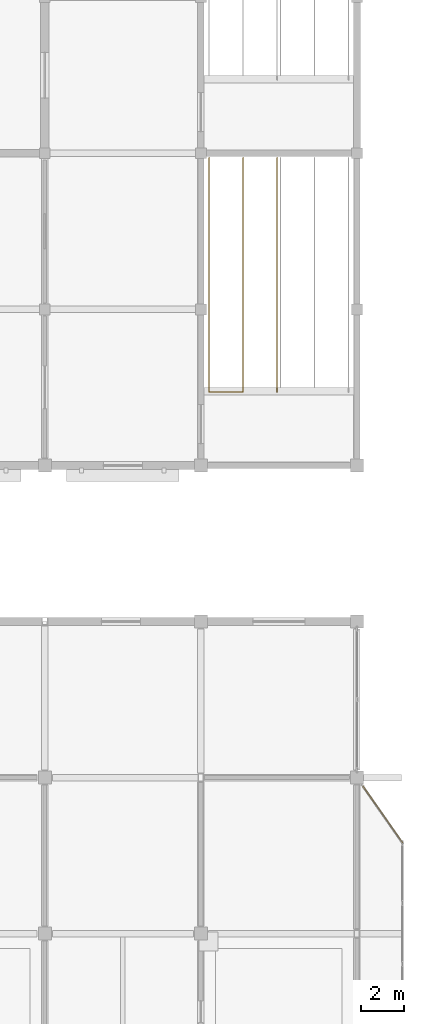
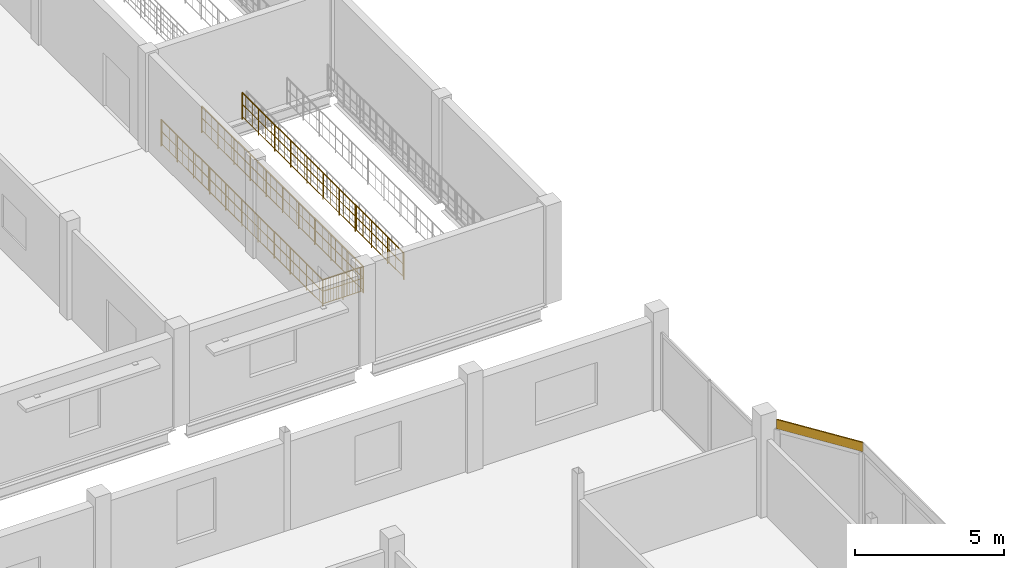
# One storey, part 46 of 51: 2 railings, 1 covering.
"""IFC4 building model written with IfcOpenShell, lengths in metres."""

from ifc_helpers import new_model, si_unit, direction, frame, frame_2d, origin, origin_2d, place, context, subcontext, project, spatial, rectangle, circle, extrude, material, layer, layer_set, type_object, element, save


model = new_model("IFC4")

# Units and contexts
model_context = context("Model", 3, precision=1e-05, world=origin(), true_north=direction((0.0, 1.0)))
body_context = subcontext(model_context, "Body", "Model", "MODEL_VIEW")
ifc_project = project(units=[si_unit("LENGTHUNIT", "METRE"), si_unit("AREAUNIT", "SQUARE_METRE"), si_unit("VOLUMEUNIT", "CUBIC_METRE"), si_unit("PLANEANGLEUNIT", "RADIAN"), si_unit("MASSUNIT", "GRAM", prefix="KILO")], contexts=[model_context])

# Site, building, storey
site_placement = place(None, origin())
site = spatial("IfcSite", under=ifc_project, at=site_placement, CompositionType="ELEMENT")
building_placement = place(site_placement, origin())
building = spatial("IfcBuilding", under=site, at=building_placement, Name="Vesperath Aquatics Centre", CompositionType="ELEMENT")
storey_placement = place(building_placement, frame((0.0, 0.0, 15.0)))
storey = spatial("IfcBuildingStorey", under=building, at=storey_placement, Name="L03", CompositionType="ELEMENT", Elevation=15.0)

# Covering
ifc_material_1 = material(Name="Teal and ochre glazed ceramic majolica frieze", Category="ceramic")
ifc_layer = layer(ifc_material_1, 0.0400390625)
ifc_layer_set = layer_set([ifc_layer], Name="Teal and ochre glazed ceramic majolica frieze")
covering_type = type_object("IfcCoveringType", Name="CV-CLD01", PredefinedType="CLADDING", material=ifc_layer_set)
covering_placement = place(storey_placement, frame((174.89990234375, 33.0, 3.5400390625), z_axis=(0.0, 0.0, 1.0), x_axis=(-0.57344185109, 0.819246265428, 0.0)))
element("IfcCovering", 1, at=covering_placement, inside=storey, type_object=covering_type, Name="East Bow Oriel Majolica Frieze CLD1 L03-N", PredefinedType="CLADDING", context=body_context, shape_type="SweptSolid", body=[
    extrude(rectangle(XDim=3.1982421875, YDim=0.050048828125, at=frame_2d((1.59912109375, 0.0))), origin(), (0.0, 0.0, 1.0), 0.3798828125),
])

# Railings
ifc_material_2 = material(Name="Powder-coated galvanized steel safety guard", Category="steel")
railing_type = type_object("IfcRailingType", Name="RL-GRD01", PredefinedType="GUARDRAIL", material=ifc_material_2)
railing_1_placement = place(storey_placement, frame((165.97998046875, 64.60009765625, 0.0)))
element("IfcRailing", 2, at=railing_1_placement, inside=storey, type_object=railing_type, Name="Stair ST12A Top Well Guard GR02 L03", PredefinedType="GUARDRAIL", context=body_context, shape_type="SweptSolid", body=[
    extrude(circle(Radius=0.02392578125, at=origin_2d()), frame((0.0, 0.0, 1.0859375), z_axis=(0.0, -1.0, 0.0), x_axis=(1.0, 0.0, 0.0)), (0.0, 0.0, 1.0), 10.820068359375),
    extrude(circle(Radius=0.01611328125, at=origin_2d()), frame((0.0, 0.0, 0.10009765625), z_axis=(0.0, -1.0, 0.0), x_axis=(1.0, 0.0, 0.0)), (0.0, 0.0, 1.0), 10.820068359375),
    extrude(circle(Radius=0.01611328125, at=origin_2d()), frame((0.0, 0.0, 0.610595703125), z_axis=(0.0, -1.0, 0.0), x_axis=(1.0, 0.0, 0.0)), (0.0, 0.0, 1.0), 10.820068359375),
    extrude(circle(Radius=0.009033203125, at=origin_2d()), frame((0.0, -0.109375, 0.10009765625)), (0.0, 0.0, 1.0), 0.9619140625),
    extrude(circle(Radius=0.009033203125, at=origin_2d()), frame((0.0, -0.54638671875, 0.10009765625)), (0.0, 0.0, 1.0), 0.9619140625),
    extrude(circle(Radius=0.009033203125, at=origin_2d()), frame((0.0, -0.983642578125, 0.10009765625)), (0.0, 0.0, 1.0), 0.9619140625),
    extrude(circle(Radius=0.009033203125, at=origin_2d()), frame((0.0, -1.4208984375, 0.10009765625)), (0.0, 0.0, 1.0), 0.9619140625),
    extrude(circle(Radius=0.009033203125, at=origin_2d()), frame((0.0, -1.85791015625, 0.10009765625)), (0.0, 0.0, 1.0), 0.9619140625),
    extrude(circle(Radius=0.009033203125, at=origin_2d()), frame((0.0, -2.295166015625, 0.10009765625)), (0.0, 0.0, 1.0), 0.9619140625),
    extrude(circle(Radius=0.009033203125, at=origin_2d()), frame((0.0, -2.732421875, 0.10009765625)), (0.0, 0.0, 1.0), 0.9619140625),
    extrude(circle(Radius=0.009033203125, at=origin_2d()), frame((0.0, -3.16943359375, 0.10009765625)), (0.0, 0.0, 1.0), 0.9619140625),
    extrude(circle(Radius=0.009033203125, at=origin_2d()), frame((0.0, -3.606689453125, 0.10009765625)), (0.0, 0.0, 1.0), 0.9619140625),
    extrude(circle(Radius=0.009033203125, at=origin_2d()), frame((0.0, -4.0439453125, 0.10009765625)), (0.0, 0.0, 1.0), 0.9619140625),
    extrude(circle(Radius=0.009033203125, at=origin_2d()), frame((0.0, -4.48095703125, 0.10009765625)), (0.0, 0.0, 1.0), 0.9619140625),
    extrude(circle(Radius=0.009033203125, at=origin_2d()), frame((0.0, -4.918212890625, 0.10009765625)), (0.0, 0.0, 1.0), 0.9619140625),
    extrude(circle(Radius=0.009033203125, at=origin_2d()), frame((0.0, -5.35546875, 0.10009765625)), (0.0, 0.0, 1.0), 0.9619140625),
    extrude(circle(Radius=0.009033203125, at=origin_2d()), frame((0.0, -5.79248046875, 0.10009765625)), (0.0, 0.0, 1.0), 0.9619140625),
    extrude(circle(Radius=0.009033203125, at=origin_2d()), frame((0.0, -6.229736328125, 0.10009765625)), (0.0, 0.0, 1.0), 0.9619140625),
    extrude(circle(Radius=0.009033203125, at=origin_2d()), frame((0.0, -6.6669921875, 0.10009765625)), (0.0, 0.0, 1.0), 0.9619140625),
    extrude(circle(Radius=0.009033203125, at=origin_2d()), frame((0.0, -7.10400390625, 0.10009765625)), (0.0, 0.0, 1.0), 0.9619140625),
    extrude(circle(Radius=0.009033203125, at=origin_2d()), frame((0.0, -7.541259765625, 0.10009765625)), (0.0, 0.0, 1.0), 0.9619140625),
    extrude(circle(Radius=0.009033203125, at=origin_2d()), frame((0.0, -7.978515625, 0.10009765625)), (0.0, 0.0, 1.0), 0.9619140625),
    extrude(circle(Radius=0.009033203125, at=origin_2d()), frame((0.0, -8.41552734375, 0.10009765625)), (0.0, 0.0, 1.0), 0.9619140625),
    extrude(circle(Radius=0.009033203125, at=origin_2d()), frame((0.0, -8.852783203125, 0.10009765625)), (0.0, 0.0, 1.0), 0.9619140625),
    extrude(circle(Radius=0.009033203125, at=origin_2d()), frame((0.0, -9.2900390625, 0.10009765625)), (0.0, 0.0, 1.0), 0.9619140625),
    extrude(circle(Radius=0.009033203125, at=origin_2d()), frame((0.0, -9.72705078125, 0.10009765625)), (0.0, 0.0, 1.0), 0.9619140625),
    extrude(circle(Radius=0.009033203125, at=origin_2d()), frame((0.0, -10.164306640625, 0.10009765625)), (0.0, 0.0, 1.0), 0.9619140625),
    extrude(circle(Radius=0.009033203125, at=origin_2d()), frame((0.0, -10.6015625, 0.10009765625)), (0.0, 0.0, 1.0), 0.9619140625),
    extrude(circle(Radius=0.02392578125, at=origin_2d()), frame((0.0, -10.820068359375, 1.0859375), z_axis=(1.0, 0.0, 0.0), x_axis=(0.0, 1.0, 0.0)), (0.0, 0.0, 1.0), 1.570068359375),
    extrude(circle(Radius=0.01611328125, at=origin_2d()), frame((0.0, -10.820068359375, 0.10009765625), z_axis=(1.0, 0.0, 0.0), x_axis=(0.0, 1.0, 0.0)), (0.0, 0.0, 1.0), 1.570068359375),
    extrude(circle(Radius=0.01611328125, at=origin_2d()), frame((0.0, -10.820068359375, 0.610595703125), z_axis=(1.0, 0.0, 0.0), x_axis=(0.0, 1.0, 0.0)), (0.0, 0.0, 1.0), 1.570068359375),
    extrude(circle(Radius=0.009033203125, at=origin_2d()), frame((0.104736328125, -10.820068359375, 0.10009765625)), (0.0, 0.0, 1.0), 0.9619140625),
    extrude(circle(Radius=0.009033203125, at=origin_2d()), frame((0.209228515625, -10.820068359375, 0.10009765625)), (0.0, 0.0, 1.0), 0.9619140625),
    extrude(circle(Radius=0.009033203125, at=origin_2d()), frame((0.31396484375, -10.820068359375, 0.10009765625)), (0.0, 0.0, 1.0), 0.9619140625),
    extrude(circle(Radius=0.009033203125, at=origin_2d()), frame((0.418701171875, -10.820068359375, 0.10009765625)), (0.0, 0.0, 1.0), 0.9619140625),
    extrude(circle(Radius=0.009033203125, at=origin_2d()), frame((0.5234375, -10.820068359375, 0.10009765625)), (0.0, 0.0, 1.0), 0.9619140625),
    extrude(circle(Radius=0.009033203125, at=origin_2d()), frame((0.6279296875, -10.820068359375, 0.10009765625)), (0.0, 0.0, 1.0), 0.9619140625),
    extrude(circle(Radius=0.009033203125, at=origin_2d()), frame((0.732666015625, -10.820068359375, 0.10009765625)), (0.0, 0.0, 1.0), 0.9619140625),
    extrude(circle(Radius=0.009033203125, at=origin_2d()), frame((0.83740234375, -10.820068359375, 0.10009765625)), (0.0, 0.0, 1.0), 0.9619140625),
    extrude(circle(Radius=0.009033203125, at=origin_2d()), frame((0.942138671875, -10.820068359375, 0.10009765625)), (0.0, 0.0, 1.0), 0.9619140625),
    extrude(circle(Radius=0.009033203125, at=origin_2d()), frame((1.046630859375, -10.820068359375, 0.10009765625)), (0.0, 0.0, 1.0), 0.9619140625),
    extrude(circle(Radius=0.009033203125, at=origin_2d()), frame((1.1513671875, -10.820068359375, 0.10009765625)), (0.0, 0.0, 1.0), 0.9619140625),
    extrude(circle(Radius=0.009033203125, at=origin_2d()), frame((1.256103515625, -10.820068359375, 0.10009765625)), (0.0, 0.0, 1.0), 0.9619140625),
    extrude(circle(Radius=0.009033203125, at=origin_2d()), frame((1.36083984375, -10.820068359375, 0.10009765625)), (0.0, 0.0, 1.0), 0.9619140625),
    extrude(circle(Radius=0.009033203125, at=origin_2d()), frame((1.46533203125, -10.820068359375, 0.10009765625)), (0.0, 0.0, 1.0), 0.9619140625),
    extrude(circle(Radius=0.02392578125, at=origin_2d()), frame((1.570068359375, -10.820068359375, 1.0859375), z_axis=(0.0, 1.0, 0.0), x_axis=(-1.0, 0.0, 0.0)), (0.0, 0.0, 1.0), 10.820068359375),
    extrude(circle(Radius=0.01611328125, at=origin_2d()), frame((1.570068359375, -10.820068359375, 0.10009765625), z_axis=(0.0, 1.0, 0.0), x_axis=(-1.0, 0.0, 0.0)), (0.0, 0.0, 1.0), 10.820068359375),
    extrude(circle(Radius=0.01611328125, at=origin_2d()), frame((1.570068359375, -10.820068359375, 0.610595703125), z_axis=(0.0, 1.0, 0.0), x_axis=(-1.0, 0.0, 0.0)), (0.0, 0.0, 1.0), 10.820068359375),
    extrude(circle(Radius=0.009033203125, at=origin_2d()), frame((1.570068359375, -10.710693359375, 0.10009765625)), (0.0, 0.0, 1.0), 0.9619140625),
    extrude(circle(Radius=0.009033203125, at=origin_2d()), frame((1.570068359375, -10.273681640625, 0.10009765625)), (0.0, 0.0, 1.0), 0.9619140625),
    extrude(circle(Radius=0.009033203125, at=origin_2d()), frame((1.570068359375, -9.83642578125, 0.10009765625)), (0.0, 0.0, 1.0), 0.9619140625),
    extrude(circle(Radius=0.009033203125, at=origin_2d()), frame((1.570068359375, -9.399169921875, 0.10009765625)), (0.0, 0.0, 1.0), 0.9619140625),
    extrude(circle(Radius=0.009033203125, at=origin_2d()), frame((1.570068359375, -8.962158203125, 0.10009765625)), (0.0, 0.0, 1.0), 0.9619140625),
    extrude(circle(Radius=0.009033203125, at=origin_2d()), frame((1.570068359375, -8.52490234375, 0.10009765625)), (0.0, 0.0, 1.0), 0.9619140625),
    extrude(circle(Radius=0.009033203125, at=origin_2d()), frame((1.570068359375, -8.087646484375, 0.10009765625)), (0.0, 0.0, 1.0), 0.9619140625),
    extrude(circle(Radius=0.009033203125, at=origin_2d()), frame((1.570068359375, -7.650634765625, 0.10009765625)), (0.0, 0.0, 1.0), 0.9619140625),
    extrude(circle(Radius=0.009033203125, at=origin_2d()), frame((1.570068359375, -7.21337890625, 0.10009765625)), (0.0, 0.0, 1.0), 0.9619140625),
    extrude(circle(Radius=0.009033203125, at=origin_2d()), frame((1.570068359375, -6.776123046875, 0.10009765625)), (0.0, 0.0, 1.0), 0.9619140625),
    extrude(circle(Radius=0.009033203125, at=origin_2d()), frame((1.570068359375, -6.339111328125, 0.10009765625)), (0.0, 0.0, 1.0), 0.9619140625),
    extrude(circle(Radius=0.009033203125, at=origin_2d()), frame((1.570068359375, -5.90185546875, 0.10009765625)), (0.0, 0.0, 1.0), 0.9619140625),
    extrude(circle(Radius=0.009033203125, at=origin_2d()), frame((1.570068359375, -5.464599609375, 0.10009765625)), (0.0, 0.0, 1.0), 0.9619140625),
    extrude(circle(Radius=0.009033203125, at=origin_2d()), frame((1.570068359375, -5.027587890625, 0.10009765625)), (0.0, 0.0, 1.0), 0.9619140625),
    extrude(circle(Radius=0.009033203125, at=origin_2d()), frame((1.570068359375, -4.59033203125, 0.10009765625)), (0.0, 0.0, 1.0), 0.9619140625),
    extrude(circle(Radius=0.009033203125, at=origin_2d()), frame((1.570068359375, -4.153076171875, 0.10009765625)), (0.0, 0.0, 1.0), 0.9619140625),
    extrude(circle(Radius=0.009033203125, at=origin_2d()), frame((1.570068359375, -3.716064453125, 0.10009765625)), (0.0, 0.0, 1.0), 0.9619140625),
    extrude(circle(Radius=0.009033203125, at=origin_2d()), frame((1.570068359375, -3.27880859375, 0.10009765625)), (0.0, 0.0, 1.0), 0.9619140625),
    extrude(circle(Radius=0.009033203125, at=origin_2d()), frame((1.570068359375, -2.841552734375, 0.10009765625)), (0.0, 0.0, 1.0), 0.9619140625),
    extrude(circle(Radius=0.009033203125, at=origin_2d()), frame((1.570068359375, -2.404541015625, 0.10009765625)), (0.0, 0.0, 1.0), 0.9619140625),
    extrude(circle(Radius=0.009033203125, at=origin_2d()), frame((1.570068359375, -1.96728515625, 0.10009765625)), (0.0, 0.0, 1.0), 0.9619140625),
    extrude(circle(Radius=0.009033203125, at=origin_2d()), frame((1.570068359375, -1.530029296875, 0.10009765625)), (0.0, 0.0, 1.0), 0.9619140625),
    extrude(circle(Radius=0.009033203125, at=origin_2d()), frame((1.570068359375, -1.093017578125, 0.10009765625)), (0.0, 0.0, 1.0), 0.9619140625),
    extrude(circle(Radius=0.009033203125, at=origin_2d()), frame((1.570068359375, -0.65576171875, 0.10009765625)), (0.0, 0.0, 1.0), 0.9619140625),
    extrude(circle(Radius=0.009033203125, at=origin_2d()), frame((1.570068359375, -0.218505859375, 0.10009765625)), (0.0, 0.0, 1.0), 0.9619140625),
    extrude(circle(Radius=0.02197265625, at=origin_2d()), origin(), (0.0, 0.0, 1.0), 1.0859375),
    extrude(circle(Radius=0.02197265625, at=origin_2d()), frame((0.0, -1.08203125, 0.0)), (0.0, 0.0, 1.0), 1.0859375),
    extrude(circle(Radius=0.02197265625, at=origin_2d()), frame((0.0, -2.1640625, 0.0)), (0.0, 0.0, 1.0), 1.0859375),
    extrude(circle(Radius=0.02197265625, at=origin_2d()), frame((0.0, -3.24609375, 0.0)), (0.0, 0.0, 1.0), 1.0859375),
    extrude(circle(Radius=0.02197265625, at=origin_2d()), frame((0.0, -4.328125, 0.0)), (0.0, 0.0, 1.0), 1.0859375),
    extrude(circle(Radius=0.02197265625, at=origin_2d()), frame((0.0, -5.41015625, 0.0)), (0.0, 0.0, 1.0), 1.0859375),
    extrude(circle(Radius=0.02197265625, at=origin_2d()), frame((0.0, -6.491943359375, 0.0)), (0.0, 0.0, 1.0), 1.0859375),
    extrude(circle(Radius=0.02197265625, at=origin_2d()), frame((0.0, -7.573974609375, 0.0)), (0.0, 0.0, 1.0), 1.0859375),
    extrude(circle(Radius=0.02197265625, at=origin_2d()), frame((0.0, -8.656005859375, 0.0)), (0.0, 0.0, 1.0), 1.0859375),
    extrude(circle(Radius=0.02197265625, at=origin_2d()), frame((0.0, -9.738037109375, 0.0)), (0.0, 0.0, 1.0), 1.0859375),
    extrude(circle(Radius=0.02197265625, at=origin_2d()), frame((0.0, -10.820068359375, 0.0)), (0.0, 0.0, 1.0), 1.0859375),
    extrude(circle(Radius=0.02197265625, at=origin_2d()), frame((0.78515625, -10.820068359375, 0.0)), (0.0, 0.0, 1.0), 1.0859375),
    extrude(circle(Radius=0.02197265625, at=origin_2d()), frame((1.570068359375, -10.820068359375, 0.0)), (0.0, 0.0, 1.0), 1.0859375),
    extrude(circle(Radius=0.02197265625, at=origin_2d()), frame((1.570068359375, -9.738037109375, 0.0)), (0.0, 0.0, 1.0), 1.0859375),
    extrude(circle(Radius=0.02197265625, at=origin_2d()), frame((1.570068359375, -8.656005859375, 0.0)), (0.0, 0.0, 1.0), 1.0859375),
    extrude(circle(Radius=0.02197265625, at=origin_2d()), frame((1.570068359375, -7.573974609375, 0.0)), (0.0, 0.0, 1.0), 1.0859375),
    extrude(circle(Radius=0.02197265625, at=origin_2d()), frame((1.570068359375, -6.491943359375, 0.0)), (0.0, 0.0, 1.0), 1.0859375),
    extrude(circle(Radius=0.02197265625, at=origin_2d()), frame((1.570068359375, -5.41015625, 0.0)), (0.0, 0.0, 1.0), 1.0859375),
    extrude(circle(Radius=0.02197265625, at=origin_2d()), frame((1.570068359375, -4.328125, 0.0)), (0.0, 0.0, 1.0), 1.0859375),
    extrude(circle(Radius=0.02197265625, at=origin_2d()), frame((1.570068359375, -3.24609375, 0.0)), (0.0, 0.0, 1.0), 1.0859375),
    extrude(circle(Radius=0.02197265625, at=origin_2d()), frame((1.570068359375, -2.1640625, 0.0)), (0.0, 0.0, 1.0), 1.0859375),
    extrude(circle(Radius=0.02197265625, at=origin_2d()), frame((1.570068359375, -1.08203125, 0.0)), (0.0, 0.0, 1.0), 1.0859375),
    extrude(circle(Radius=0.02197265625, at=origin_2d()), frame((1.570068359375, 0.0, 0.0)), (0.0, 0.0, 1.0), 1.0859375),
])
railing_2_placement = place(storey_placement, frame((169.1201171875, 53.780029296875, 0.0)))
element("IfcRailing", 3, at=railing_2_placement, inside=storey, type_object=railing_type, Name="Stair ST12A Top Side Guard GR02 L03", PredefinedType="GUARDRAIL", context=body_context, shape_type="SweptSolid", body=[
    extrude(circle(Radius=0.02392578125, at=origin_2d()), frame((0.0, 0.0, 1.0859375), z_axis=(0.0, 1.0, 0.0), x_axis=(-1.0, 0.0, 0.0)), (0.0, 0.0, 1.0), 10.820068359375),
    extrude(circle(Radius=0.01611328125, at=origin_2d()), frame((0.0, 0.0, 0.10009765625), z_axis=(0.0, 1.0, 0.0), x_axis=(-1.0, 0.0, 0.0)), (0.0, 0.0, 1.0), 10.820068359375),
    extrude(circle(Radius=0.01611328125, at=origin_2d()), frame((0.0, 0.0, 0.610595703125), z_axis=(0.0, 1.0, 0.0), x_axis=(-1.0, 0.0, 0.0)), (0.0, 0.0, 1.0), 10.820068359375),
    extrude(circle(Radius=0.009033203125, at=origin_2d()), frame((0.0, 0.109375, 0.10009765625)), (0.0, 0.0, 1.0), 0.9619140625),
    extrude(circle(Radius=0.009033203125, at=origin_2d()), frame((0.0, 0.54638671875, 0.10009765625)), (0.0, 0.0, 1.0), 0.9619140625),
    extrude(circle(Radius=0.009033203125, at=origin_2d()), frame((0.0, 0.983642578125, 0.10009765625)), (0.0, 0.0, 1.0), 0.9619140625),
    extrude(circle(Radius=0.009033203125, at=origin_2d()), frame((0.0, 1.4208984375, 0.10009765625)), (0.0, 0.0, 1.0), 0.9619140625),
    extrude(circle(Radius=0.009033203125, at=origin_2d()), frame((0.0, 1.85791015625, 0.10009765625)), (0.0, 0.0, 1.0), 0.9619140625),
    extrude(circle(Radius=0.009033203125, at=origin_2d()), frame((0.0, 2.295166015625, 0.10009765625)), (0.0, 0.0, 1.0), 0.9619140625),
    extrude(circle(Radius=0.009033203125, at=origin_2d()), frame((0.0, 2.732421875, 0.10009765625)), (0.0, 0.0, 1.0), 0.9619140625),
    extrude(circle(Radius=0.009033203125, at=origin_2d()), frame((0.0, 3.16943359375, 0.10009765625)), (0.0, 0.0, 1.0), 0.9619140625),
    extrude(circle(Radius=0.009033203125, at=origin_2d()), frame((0.0, 3.606689453125, 0.10009765625)), (0.0, 0.0, 1.0), 0.9619140625),
    extrude(circle(Radius=0.009033203125, at=origin_2d()), frame((0.0, 4.0439453125, 0.10009765625)), (0.0, 0.0, 1.0), 0.9619140625),
    extrude(circle(Radius=0.009033203125, at=origin_2d()), frame((0.0, 4.48095703125, 0.10009765625)), (0.0, 0.0, 1.0), 0.9619140625),
    extrude(circle(Radius=0.009033203125, at=origin_2d()), frame((0.0, 4.918212890625, 0.10009765625)), (0.0, 0.0, 1.0), 0.9619140625),
    extrude(circle(Radius=0.009033203125, at=origin_2d()), frame((0.0, 5.35546875, 0.10009765625)), (0.0, 0.0, 1.0), 0.9619140625),
    extrude(circle(Radius=0.009033203125, at=origin_2d()), frame((0.0, 5.79248046875, 0.10009765625)), (0.0, 0.0, 1.0), 0.9619140625),
    extrude(circle(Radius=0.009033203125, at=origin_2d()), frame((0.0, 6.229736328125, 0.10009765625)), (0.0, 0.0, 1.0), 0.9619140625),
    extrude(circle(Radius=0.009033203125, at=origin_2d()), frame((0.0, 6.6669921875, 0.10009765625)), (0.0, 0.0, 1.0), 0.9619140625),
    extrude(circle(Radius=0.009033203125, at=origin_2d()), frame((0.0, 7.10400390625, 0.10009765625)), (0.0, 0.0, 1.0), 0.9619140625),
    extrude(circle(Radius=0.009033203125, at=origin_2d()), frame((0.0, 7.541259765625, 0.10009765625)), (0.0, 0.0, 1.0), 0.9619140625),
    extrude(circle(Radius=0.009033203125, at=origin_2d()), frame((0.0, 7.978515625, 0.10009765625)), (0.0, 0.0, 1.0), 0.9619140625),
    extrude(circle(Radius=0.009033203125, at=origin_2d()), frame((0.0, 8.41552734375, 0.10009765625)), (0.0, 0.0, 1.0), 0.9619140625),
    extrude(circle(Radius=0.009033203125, at=origin_2d()), frame((0.0, 8.852783203125, 0.10009765625)), (0.0, 0.0, 1.0), 0.9619140625),
    extrude(circle(Radius=0.009033203125, at=origin_2d()), frame((0.0, 9.2900390625, 0.10009765625)), (0.0, 0.0, 1.0), 0.9619140625),
    extrude(circle(Radius=0.009033203125, at=origin_2d()), frame((0.0, 9.72705078125, 0.10009765625)), (0.0, 0.0, 1.0), 0.9619140625),
    extrude(circle(Radius=0.009033203125, at=origin_2d()), frame((0.0, 10.164306640625, 0.10009765625)), (0.0, 0.0, 1.0), 0.9619140625),
    extrude(circle(Radius=0.009033203125, at=origin_2d()), frame((0.0, 10.6015625, 0.10009765625)), (0.0, 0.0, 1.0), 0.9619140625),
    extrude(circle(Radius=0.02197265625, at=origin_2d()), origin(), (0.0, 0.0, 1.0), 1.0859375),
    extrude(circle(Radius=0.02197265625, at=origin_2d()), frame((0.0, 1.08203125, 0.0)), (0.0, 0.0, 1.0), 1.0859375),
    extrude(circle(Radius=0.02197265625, at=origin_2d()), frame((0.0, 2.1640625, 0.0)), (0.0, 0.0, 1.0), 1.0859375),
    extrude(circle(Radius=0.02197265625, at=origin_2d()), frame((0.0, 3.24609375, 0.0)), (0.0, 0.0, 1.0), 1.0859375),
    extrude(circle(Radius=0.02197265625, at=origin_2d()), frame((0.0, 4.328125, 0.0)), (0.0, 0.0, 1.0), 1.0859375),
    extrude(circle(Radius=0.02197265625, at=origin_2d()), frame((0.0, 5.41015625, 0.0)), (0.0, 0.0, 1.0), 1.0859375),
    extrude(circle(Radius=0.02197265625, at=origin_2d()), frame((0.0, 6.491943359375, 0.0)), (0.0, 0.0, 1.0), 1.0859375),
    extrude(circle(Radius=0.02197265625, at=origin_2d()), frame((0.0, 7.573974609375, 0.0)), (0.0, 0.0, 1.0), 1.0859375),
    extrude(circle(Radius=0.02197265625, at=origin_2d()), frame((0.0, 8.656005859375, 0.0)), (0.0, 0.0, 1.0), 1.0859375),
    extrude(circle(Radius=0.02197265625, at=origin_2d()), frame((0.0, 9.738037109375, 0.0)), (0.0, 0.0, 1.0), 1.0859375),
    extrude(circle(Radius=0.02197265625, at=origin_2d()), frame((0.0, 10.820068359375, 0.0)), (0.0, 0.0, 1.0), 1.0859375),
])

save(model, "model.ifc")
